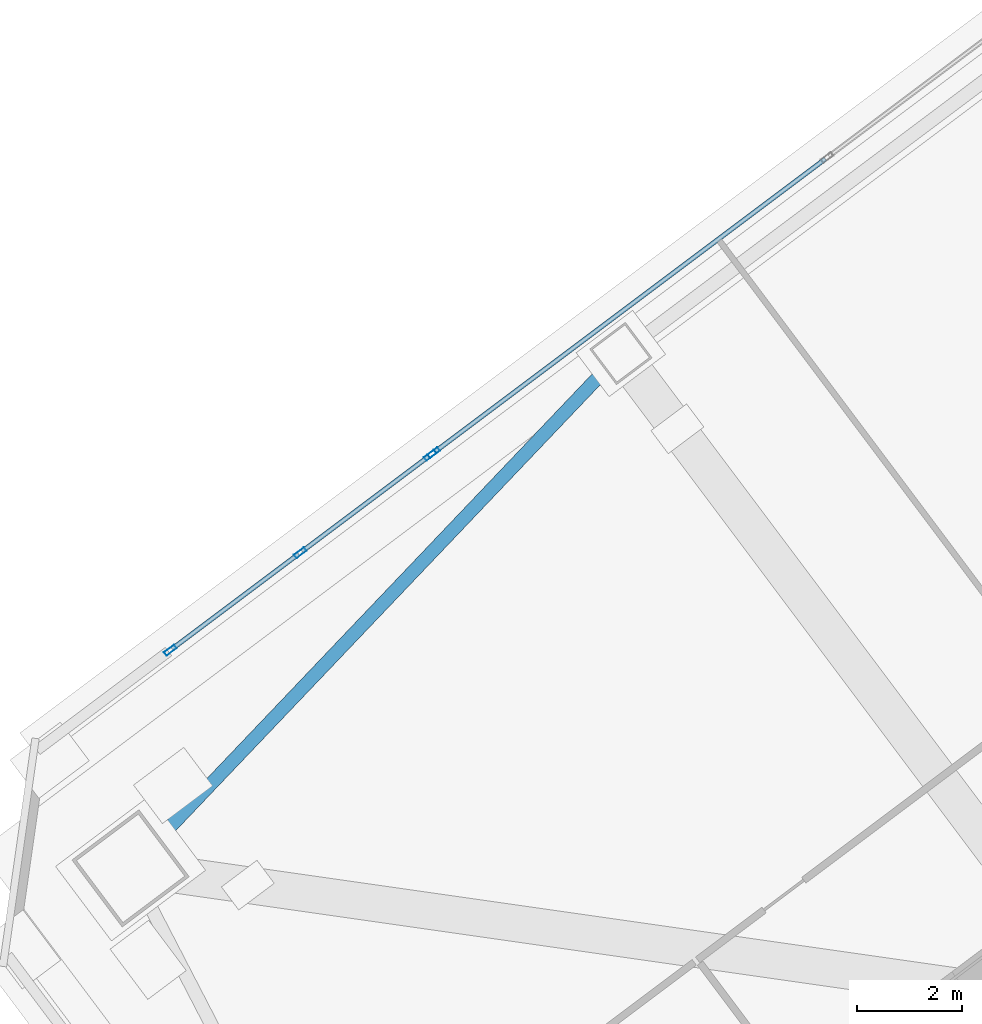
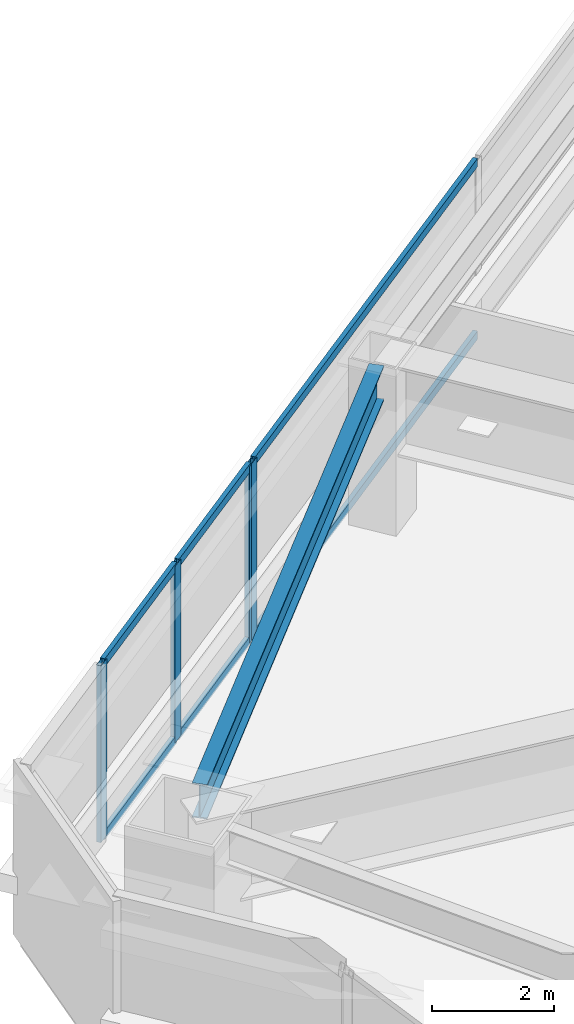
# One storey, part 29 of 48: 10 members, 1 beam, 2 elements without a shape of their own.
"""IFC4 building model written with IfcOpenShell, lengths in metres."""

from ifc_helpers import new_model, si_unit, direction, frame, origin, origin_2d, place, context, subcontext, project, spatial, hollow_rectangle, i_section, extrude, material, material_profile, profile_set, type_object, element, aggregate, save


model = new_model("IFC4")

# Units and contexts
model_context = context("Model", 3, precision=1e-05, world=origin(), true_north=direction((0.0, 1.0)))
body_context = subcontext(model_context, "Body", "Model", "MODEL_VIEW")
ifc_project = project(units=[si_unit("LENGTHUNIT", "METRE"), si_unit("AREAUNIT", "SQUARE_METRE"), si_unit("VOLUMEUNIT", "CUBIC_METRE"), si_unit("PLANEANGLEUNIT", "RADIAN"), si_unit("MASSUNIT", "GRAM", prefix="KILO")], contexts=[model_context])

# Site, building, storey
site_placement = place(None, origin())
site = spatial("IfcSite", under=ifc_project, at=site_placement, CompositionType="ELEMENT")
building_placement = place(site_placement, origin())
building = spatial("IfcBuilding", under=site, at=building_placement, Name="Tashvorn Skyway Center", CompositionType="ELEMENT")
storey_placement = place(building_placement, frame((0.0, 0.0, 63.64990234375)))
storey = spatial("IfcBuildingStorey", under=building, at=storey_placement, Name="L16", CompositionType="ELEMENT", Elevation=63.64990234375)

# Beam
ifc_material_1 = material(Name="Steel ASTM A992 Grade 50", Category="steel")
ifc_material_profile_1 = material_profile(ifc_material_1, i_section(OverallWidth=0.256103515625, OverallDepth=0.693115234375, WebThickness=0.014404296875, FlangeThickness=0.023681640625, at=origin_2d()), Name="W27X114")
ifc_profile_set_1 = profile_set([ifc_material_profile_1], Name="Steel ASTM A992 Grade 50")
beam_type = type_object("IfcBeamType", Name="BM-SPANDREL-W27X114", PredefinedType="SPANDREL", material=ifc_profile_set_1)
beam_placement = place(storey_placement, frame((96.76025390625, 45.2958984375, 3.003662109375), z_axis=(-0.689589637236, -0.724200339835, 0.0), x_axis=(0.724200339835, -0.689589637236, 0.0)))
element("IfcBeam", 1, at=beam_placement, inside=storey, type_object=beam_type, Name="Tower 2 L16 Spandrel Beam 09", PredefinedType="SPANDREL", context=body_context, shape_type="SweptSolid", body=[
    extrude(i_section(OverallWidth=0.256103515625, OverallDepth=0.693115234375, WebThickness=0.014404296875, FlangeThickness=0.023681640625, at=origin_2d()), origin(), (0.0, 0.0, 1.0), 12.37255859375),
])

# Curtain wall, members
ifc_material_2 = material(Name="Thermally broken bronze-anodized aluminium 6063-T6", Category="aluminium")
curtain_wall_type = type_object("IfcCurtainWallType", Name="CW-CW-Z1", PredefinedType="NOTDEFINED", material=ifc_material_2)
curtain_wall_1_placement = place(storey_placement, origin())
curtain_wall_1 = element("IfcCurtainWall", 2, at=curtain_wall_1_placement, inside=storey, type_object=curtain_wall_type, Name="Tower 2 L16 North Unitised Curtain Wall Glazing Group 1", PredefinedType="NOTDEFINED")
ifc_material_profile_2 = material_profile(ifc_material_2, hollow_rectangle(XDim=0.0849609375, YDim=0.239990234375, WallThickness=0.0048828125, at=origin_2d()), Name="ALU-MULL-85x240")
ifc_profile_set_2 = profile_set([ifc_material_profile_2], Name="Thermally broken bronze-anodized aluminium 6063-T6")
member_type_1 = type_object("IfcMemberType", Name="CWM-CW-Z1", PredefinedType="MULLION", material=ifc_profile_set_2)
member_1_placement = place(storey_placement, frame((88.439208984375, 39.929443359375, 0.0), z_axis=(0.0, 0.0, 1.0), x_axis=(-0.599997457641, 0.800001906763, 0.0)))
member_1 = element("IfcMember", 3, at=member_1_placement, type_object=member_type_1, Name="CW-Z1 mullion 1", PredefinedType="MULLION", context=body_context, shape_type="SweptSolid", body=[
    extrude(hollow_rectangle(XDim=0.0849609375, YDim=0.239990234375, WallThickness=0.0048828125, at=origin_2d()), origin(), (0.0, 0.0, 1.0), 3.550048828125),
])
member_2_placement = place(storey_placement, frame((90.922607421875, 41.7919921875, 0.0), z_axis=(0.0, 0.0, 1.0), x_axis=(-0.599997457641, 0.800001906763, 0.0)))
member_2 = element("IfcMember", 4, at=member_2_placement, type_object=member_type_1, Name="CW-Z1 mullion 2", PredefinedType="MULLION", context=body_context, shape_type="SweptSolid", body=[
    extrude(hollow_rectangle(XDim=0.0849609375, YDim=0.239990234375, WallThickness=0.0048828125, at=origin_2d()), origin(), (0.0, 0.0, 1.0), 3.550048828125),
])
member_3_placement = place(storey_placement, frame((93.406005859375, 43.654541015625, 0.0), z_axis=(0.0, 0.0, 1.0), x_axis=(-0.599997457641, 0.800001906763, 0.0)))
member_3 = element("IfcMember", 5, at=member_3_placement, type_object=member_type_1, Name="CW-Z1 mullion 3", PredefinedType="MULLION", context=body_context, shape_type="SweptSolid", body=[
    extrude(hollow_rectangle(XDim=0.0849609375, YDim=0.239990234375, WallThickness=0.0048828125, at=origin_2d()), origin(), (0.0, 0.0, 1.0), 3.550048828125),
])

# Curtain wall, member
curtain_wall_2_placement = place(storey_placement, origin())
curtain_wall_2 = element("IfcCurtainWall", 6, at=curtain_wall_2_placement, inside=storey, type_object=curtain_wall_type, Name="Tower 2 L16 North Unitised Curtain Wall Glazing Group 2", PredefinedType="NOTDEFINED")
member_4_placement = place(storey_placement, frame((93.47412109375, 43.70556640625, 0.0), z_axis=(0.0, 0.0, 1.0), x_axis=(-0.600000000002, 0.799999999998, 0.0)))
member_4 = element("IfcMember", 7, at=member_4_placement, type_object=member_type_1, Name="CW-Z1 mullion 1", PredefinedType="MULLION", context=body_context, shape_type="SweptSolid", body=[
    extrude(hollow_rectangle(XDim=0.0849609375, YDim=0.239990234375, WallThickness=0.0048828125, at=origin_2d()), origin(), (0.0, 0.0, 1.0), 3.550048828125),
])

# Member
ifc_material_profile_3 = material_profile(ifc_material_2, hollow_rectangle(XDim=0.0849609375, YDim=0.1650390625, WallThickness=0.0048828125, at=origin_2d()), Name="ALU-TRAN-85x165")
ifc_profile_set_3 = profile_set([ifc_material_profile_3], Name="Thermally broken bronze-anodized aluminium 6063-T6")
member_type_2 = type_object("IfcMemberType", Name="CWT-CW-Z1", PredefinedType="USERDEFINED", material=ifc_profile_set_3)
member_5_placement = place(storey_placement, frame((88.473388671875, 39.955078125, 0.04248046875), z_axis=(0.799990296182, 0.600012938206, 0.0), x_axis=(-0.600012938206, 0.799990296182, 0.0)))
member_5 = element("IfcMember", 8, at=member_5_placement, type_object=member_type_2, Name="CW-Z1 transom 1.1", ObjectType="TRANSOM", PredefinedType="USERDEFINED", context=body_context, shape_type="SweptSolid", body=[
    extrude(hollow_rectangle(XDim=0.0849609375, YDim=0.1650390625, WallThickness=0.0048828125, at=origin_2d()), origin(), (0.0, 0.0, 1.0), 3.01904296875),
])

member_6_placement = place(storey_placement, frame((88.473388671875, 39.955078125, 3.507568359375), z_axis=(0.799990296182, 0.600012938206, 0.0), x_axis=(-0.600012938206, 0.799990296182, 0.0)))
member_6 = element("IfcMember", 9, at=member_6_placement, type_object=member_type_2, Name="CW-Z1 transom 1.2", ObjectType="TRANSOM", PredefinedType="USERDEFINED", context=body_context, shape_type="SweptSolid", body=[
    extrude(hollow_rectangle(XDim=0.0849609375, YDim=0.1650390625, WallThickness=0.0048828125, at=origin_2d()), origin(), (0.0, 0.0, 1.0), 3.01904296875),
])

member_7_placement = place(storey_placement, frame((90.95654296875, 41.8173828125, 0.04248046875), z_axis=(0.800019405753, 0.599974124791, 0.0), x_axis=(-0.599974124791, 0.800019405753, 0.0)))
member_7 = element("IfcMember", 10, at=member_7_placement, type_object=member_type_2, Name="CW-Z1 transom 2.1", ObjectType="TRANSOM", PredefinedType="USERDEFINED", context=body_context, shape_type="SweptSolid", body=[
    extrude(hollow_rectangle(XDim=0.0849609375, YDim=0.1650390625, WallThickness=0.0048828125, at=origin_2d()), origin(), (0.0, 0.0, 1.0), 3.019287109375),
])

member_8_placement = place(storey_placement, frame((90.95654296875, 41.8173828125, 3.507568359375), z_axis=(0.800019405753, 0.599974124791, 0.0), x_axis=(-0.599974124791, 0.800019405753, 0.0)))
member_8 = element("IfcMember", 11, at=member_8_placement, type_object=member_type_2, Name="CW-Z1 transom 2.2", ObjectType="TRANSOM", PredefinedType="USERDEFINED", context=body_context, shape_type="SweptSolid", body=[
    extrude(hollow_rectangle(XDim=0.0849609375, YDim=0.1650390625, WallThickness=0.0048828125, at=origin_2d()), origin(), (0.0, 0.0, 1.0), 3.019287109375),
])

aggregate(curtain_wall_1, [member_1, member_2, member_3, member_5, member_6, member_7, member_8])

member_9_placement = place(storey_placement, frame((93.508056640625, 43.73095703125, 0.04248046875), z_axis=(0.799990562031, 0.600012583752, 0.0), x_axis=(-0.600012583752, 0.799990562031, 0.0)))
member_9 = element("IfcMember", 12, at=member_9_placement, type_object=member_type_2, Name="CW-Z1 transom 1.1", ObjectType="TRANSOM", PredefinedType="USERDEFINED", context=body_context, shape_type="SweptSolid", body=[
    extrude(hollow_rectangle(XDim=0.0849609375, YDim=0.1650390625, WallThickness=0.0048828125, at=origin_2d()), origin(), (0.0, 0.0, 1.0), 9.3125),
])

member_10_placement = place(storey_placement, frame((93.508056640625, 43.73095703125, 3.507568359375), z_axis=(0.799990562031, 0.600012583752, 0.0), x_axis=(-0.600012583752, 0.799990562031, 0.0)))
member_10 = element("IfcMember", 13, at=member_10_placement, type_object=member_type_2, Name="CW-Z1 transom 1.2", ObjectType="TRANSOM", PredefinedType="USERDEFINED", context=body_context, shape_type="SweptSolid", body=[
    extrude(hollow_rectangle(XDim=0.0849609375, YDim=0.1650390625, WallThickness=0.0048828125, at=origin_2d()), origin(), (0.0, 0.0, 1.0), 9.3125),
])

aggregate(curtain_wall_2, [member_4, member_9, member_10])

save(model, "model.ifc")
